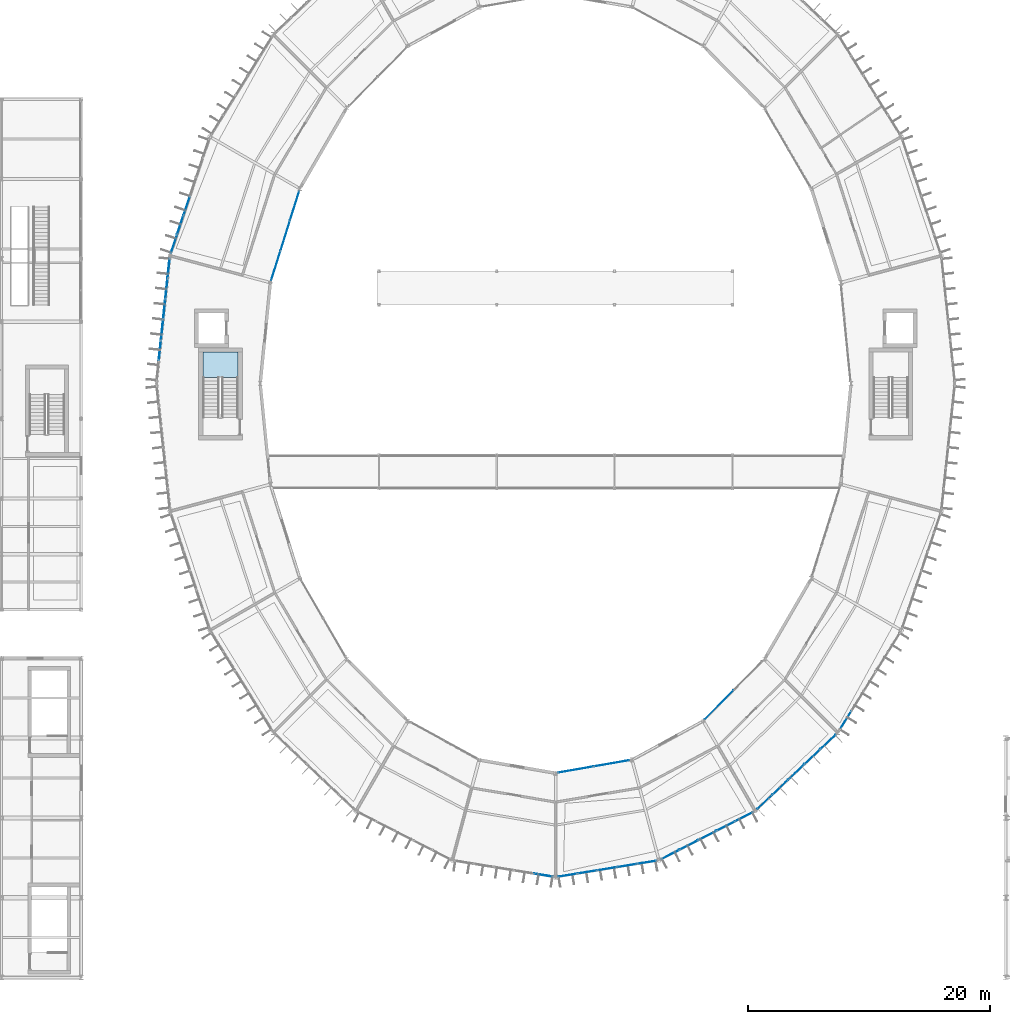
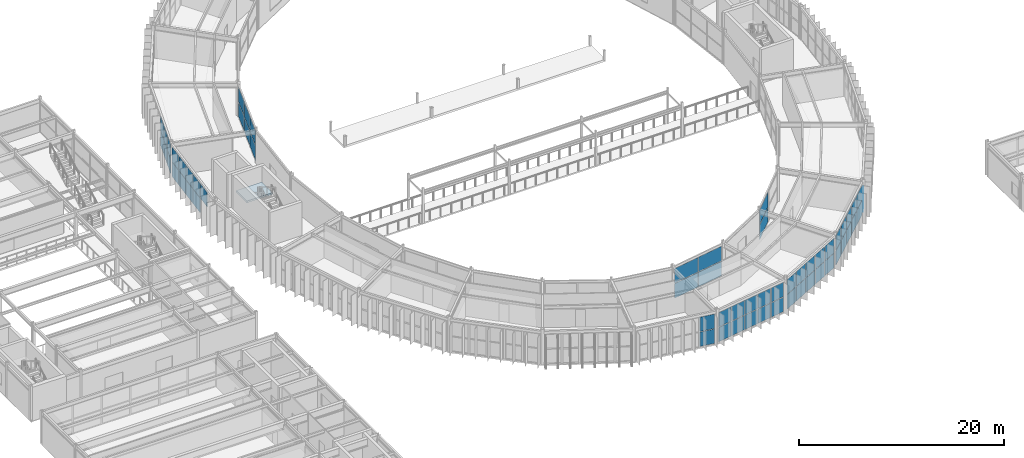
# One storey, part 101 of 147: 60 plates, 1 slab, 11 elements without a shape of their own.
"""IFC4 building model written with IfcOpenShell, lengths in metres."""

from ifc_helpers import new_model, si_unit, direction, frame, origin, origin_2d, place, context, subcontext, project, spatial, polyline, rectangle, outline, extrude, material, layer, layer_set, type_object, element, aggregate, save


model = new_model("IFC4")

# Units and contexts
model_context = context("Model", 3, precision=1e-05, world=origin(), true_north=direction((0.0, 1.0)))
body_context = subcontext(model_context, "Body", "Model", "MODEL_VIEW")
ifc_project = project(units=[si_unit("LENGTHUNIT", "METRE"), si_unit("AREAUNIT", "SQUARE_METRE"), si_unit("VOLUMEUNIT", "CUBIC_METRE"), si_unit("PLANEANGLEUNIT", "RADIAN"), si_unit("MASSUNIT", "GRAM", prefix="KILO")], contexts=[model_context])

# Site, building, storey
site_placement = place(None, origin())
site = spatial("IfcSite", under=ifc_project, at=site_placement, CompositionType="ELEMENT")
building_placement = place(site_placement, origin())
building = spatial("IfcBuilding", under=site, at=building_placement, Name="Karori Crest Natural Sciences Institute", CompositionType="ELEMENT")
storey_placement = place(building_placement, frame((0.0, 0.0, 9.10009765625)))
storey = spatial("IfcBuildingStorey", under=building, at=storey_placement, Name="L02", CompositionType="ELEMENT", Elevation=9.10009765625)

# Curtain wall, plates
ifc_material_1 = material(Name="Anodised architectural aluminium 6063-T6", Category="aluminium")
curtain_wall_type_1 = type_object("IfcCurtainWallType", Name="CWT-11", PredefinedType="NOTDEFINED", material=ifc_material_1)
curtain_wall_1_placement = place(storey_placement, origin())
curtain_wall_1 = element("IfcCurtainWall", 1, at=curtain_wall_1_placement, inside=storey, type_object=curtain_wall_type_1, Name="Curtain wall CW-0081", PredefinedType="NOTDEFINED")
ifc_material_2 = material(Name="Double low-E laminated glass", Category="glass")
ifc_layer_1 = layer(ifc_material_2, 0.02392578125, Name="Double low-E laminated glass")
ifc_layer_set_1 = layer_set([ifc_layer_1], Name="Double low-E laminated glass")
plate_type_1 = type_object("IfcPlateType", Name="CWP-01", PredefinedType="CURTAIN_PANEL", material=ifc_layer_set_1)
plate_1_placement = place(storey_placement, frame((44.824951171875, 64.584716796875, 0.06005859375), z_axis=(0.0, 0.0, 1.0), x_axis=(-0.2994765864, -0.954103649609, 0.0)))
plate_1 = element("IfcPlate", 2, at=plate_1_placement, type_object=plate_type_1, Name="CW-0081 panel 1.1", PredefinedType="CURTAIN_PANEL", context=body_context, shape_type="SweptSolid", body=[
    extrude(rectangle(XDim=2.517822265625, YDim=0.02392578125, at=origin_2d()), origin(), (0.0, 0.0, 1.0), 1.735107421875),
])
plate_2_placement = place(storey_placement, frame((44.824951171875, 64.584716796875, 1.85498046875), z_axis=(0.0, 0.0, 1.0), x_axis=(-0.2994765864, -0.954103649609, 0.0)))
plate_2 = element("IfcPlate", 3, at=plate_2_placement, type_object=plate_type_1, Name="CW-0081 panel 1.2", PredefinedType="CURTAIN_PANEL", context=body_context, shape_type="SweptSolid", body=[
    extrude(rectangle(XDim=2.517822265625, YDim=0.02392578125, at=origin_2d()), origin(), (0.0, 0.0, 1.0), 1.735107421875),
])
plate_3_placement = place(storey_placement, frame((44.04638671875, 62.10498046875, 0.06005859375), z_axis=(0.0, 0.0, 1.0), x_axis=(-0.2994765864, -0.954103649609, 0.0)))
plate_3 = element("IfcPlate", 4, at=plate_3_placement, type_object=plate_type_1, Name="CW-0081 panel 2.1", PredefinedType="CURTAIN_PANEL", context=body_context, shape_type="SweptSolid", body=[
    extrude(rectangle(XDim=2.55029296875, YDim=0.02392578125, at=origin_2d()), origin(), (0.0, 0.0, 1.0), 1.735107421875),
])
plate_4_placement = place(storey_placement, frame((44.04638671875, 62.10498046875, 1.85498046875), z_axis=(0.0, 0.0, 1.0), x_axis=(-0.2994765864, -0.954103649609, 0.0)))
plate_4 = element("IfcPlate", 5, at=plate_4_placement, type_object=plate_type_1, Name="CW-0081 panel 2.2", PredefinedType="CURTAIN_PANEL", context=body_context, shape_type="SweptSolid", body=[
    extrude(rectangle(XDim=2.55029296875, YDim=0.02392578125, at=origin_2d()), origin(), (0.0, 0.0, 1.0), 1.735107421875),
])
plate_5_placement = place(storey_placement, frame((43.26806640625, 59.62548828125, 0.06005859375), z_axis=(0.0, 0.0, 1.0), x_axis=(-0.2994765864, -0.954103649609, 0.0)))
plate_5 = element("IfcPlate", 6, at=plate_5_placement, type_object=plate_type_1, Name="CW-0081 panel 3.1", PredefinedType="CURTAIN_PANEL", context=body_context, shape_type="SweptSolid", body=[
    extrude(rectangle(XDim=2.517822265625, YDim=0.02392578125, at=origin_2d()), origin(), (0.0, 0.0, 1.0), 1.735107421875),
])
plate_6_placement = place(storey_placement, frame((43.26806640625, 59.62548828125, 1.85498046875), z_axis=(0.0, 0.0, 1.0), x_axis=(-0.2994765864, -0.954103649609, 0.0)))
plate_6 = element("IfcPlate", 7, at=plate_6_placement, type_object=plate_type_1, Name="CW-0081 panel 3.2", PredefinedType="CURTAIN_PANEL", context=body_context, shape_type="SweptSolid", body=[
    extrude(rectangle(XDim=2.517822265625, YDim=0.02392578125, at=origin_2d()), origin(), (0.0, 0.0, 1.0), 1.735107421875),
])
aggregate(curtain_wall_1, [plate_1, plate_2, plate_3, plate_4, plate_5, plate_6])

curtain_wall_type_2 = type_object("IfcCurtainWallType", Name="CWT-09", PredefinedType="NOTDEFINED", material=ifc_material_1)
curtain_wall_2_placement = place(storey_placement, origin())
curtain_wall_2 = element("IfcCurtainWall", 8, at=curtain_wall_2_placement, inside=storey, type_object=curtain_wall_type_2, Name="Curtain wall CW-0091", PredefinedType="NOTDEFINED")
plate_7_placement = place(storey_placement, frame((73.927490234375, 10.3251953125, 0.06494140625), z_axis=(0.0, 0.0, 1.0), x_axis=(-0.987010371927, -0.1606565458, 0.0)))
plate_7 = element("IfcPlate", 9, at=plate_7_placement, type_object=plate_type_1, Name="CW-0091 panel 1.1", PredefinedType="CURTAIN_PANEL", context=body_context, shape_type="SweptSolid", body=[
    extrude(rectangle(XDim=1.552001953125, YDim=0.02392578125, at=origin_2d()), origin(), (0.0, 0.0, 1.0), 1.715087890625),
])
plate_8_placement = place(storey_placement, frame((73.927490234375, 10.3251953125, 1.8447265625), z_axis=(0.0, 0.0, 1.0), x_axis=(-0.987010371927, -0.1606565458, 0.0)))
plate_8 = element("IfcPlate", 10, at=plate_8_placement, type_object=plate_type_1, Name="CW-0091 panel 1.2", PredefinedType="CURTAIN_PANEL", context=body_context, shape_type="SweptSolid", body=[
    extrude(rectangle(XDim=1.552001953125, YDim=0.02392578125, at=origin_2d()), origin(), (0.0, 0.0, 1.0), 1.715087890625),
])
plate_9_placement = place(storey_placement, frame((72.30322265625, 10.060791015625, 0.06494140625), z_axis=(0.0, 0.0, 1.0), x_axis=(-0.987010371927, -0.1606565458, 0.0)))
plate_9 = element("IfcPlate", 11, at=plate_9_placement, type_object=plate_type_1, Name="CW-0091 panel 2.1", PredefinedType="CURTAIN_PANEL", context=body_context, shape_type="SweptSolid", body=[
    extrude(rectangle(XDim=1.58935546875, YDim=0.02392578125, at=origin_2d()), origin(), (0.0, 0.0, 1.0), 1.715087890625),
])
plate_10_placement = place(storey_placement, frame((72.30322265625, 10.060791015625, 1.8447265625), z_axis=(0.0, 0.0, 1.0), x_axis=(-0.987010371927, -0.1606565458, 0.0)))
plate_10 = element("IfcPlate", 12, at=plate_10_placement, type_object=plate_type_1, Name="CW-0091 panel 2.2", PredefinedType="CURTAIN_PANEL", context=body_context, shape_type="SweptSolid", body=[
    extrude(rectangle(XDim=1.58935546875, YDim=0.02392578125, at=origin_2d()), origin(), (0.0, 0.0, 1.0), 1.715087890625),
])
plate_11_placement = place(storey_placement, frame((70.660400390625, 9.79345703125, 0.06494140625), z_axis=(0.0, 0.0, 1.0), x_axis=(-0.987010371927, -0.1606565458, 0.0)))
plate_11 = element("IfcPlate", 13, at=plate_11_placement, type_object=plate_type_1, Name="CW-0091 panel 3.1", PredefinedType="CURTAIN_PANEL", context=body_context, shape_type="SweptSolid", body=[
    extrude(rectangle(XDim=1.58935546875, YDim=0.02392578125, at=origin_2d()), origin(), (0.0, 0.0, 1.0), 1.715087890625),
])
plate_12_placement = place(storey_placement, frame((70.660400390625, 9.79345703125, 1.8447265625), z_axis=(0.0, 0.0, 1.0), x_axis=(-0.987010371927, -0.1606565458, 0.0)))
plate_12 = element("IfcPlate", 14, at=plate_12_placement, type_object=plate_type_1, Name="CW-0091 panel 3.2", PredefinedType="CURTAIN_PANEL", context=body_context, shape_type="SweptSolid", body=[
    extrude(rectangle(XDim=1.58935546875, YDim=0.02392578125, at=origin_2d()), origin(), (0.0, 0.0, 1.0), 1.715087890625),
])
plate_13_placement = place(storey_placement, frame((69.017578125, 9.526123046875, 0.06494140625), z_axis=(0.0, 0.0, 1.0), x_axis=(-0.987010371927, -0.1606565458, 0.0)))
plate_13 = element("IfcPlate", 15, at=plate_13_placement, type_object=plate_type_1, Name="CW-0091 panel 4.1", PredefinedType="CURTAIN_PANEL", context=body_context, shape_type="SweptSolid", body=[
    extrude(rectangle(XDim=1.58935546875, YDim=0.02392578125, at=origin_2d()), origin(), (0.0, 0.0, 1.0), 1.715087890625),
])
plate_14_placement = place(storey_placement, frame((69.017578125, 9.526123046875, 1.8447265625), z_axis=(0.0, 0.0, 1.0), x_axis=(-0.987010371927, -0.1606565458, 0.0)))
plate_14 = element("IfcPlate", 16, at=plate_14_placement, type_object=plate_type_1, Name="CW-0091 panel 4.2", PredefinedType="CURTAIN_PANEL", context=body_context, shape_type="SweptSolid", body=[
    extrude(rectangle(XDim=1.58935546875, YDim=0.02392578125, at=origin_2d()), origin(), (0.0, 0.0, 1.0), 1.715087890625),
])
plate_15_placement = place(storey_placement, frame((67.393310546875, 9.26171875, 0.06494140625), z_axis=(0.0, 0.0, 1.0), x_axis=(-0.987010371927, -0.1606565458, 0.0)))
plate_15 = element("IfcPlate", 17, at=plate_15_placement, type_object=plate_type_1, Name="CW-0091 panel 5.1", PredefinedType="CURTAIN_PANEL", context=body_context, shape_type="SweptSolid", body=[
    extrude(rectangle(XDim=1.552001953125, YDim=0.02392578125, at=origin_2d()), origin(), (0.0, 0.0, 1.0), 1.715087890625),
])
plate_16_placement = place(storey_placement, frame((67.393310546875, 9.26171875, 1.8447265625), z_axis=(0.0, 0.0, 1.0), x_axis=(-0.987010371927, -0.1606565458, 0.0)))
plate_16 = element("IfcPlate", 18, at=plate_16_placement, type_object=plate_type_1, Name="CW-0091 panel 5.2", PredefinedType="CURTAIN_PANEL", context=body_context, shape_type="SweptSolid", body=[
    extrude(rectangle(XDim=1.552001953125, YDim=0.02392578125, at=origin_2d()), origin(), (0.0, 0.0, 1.0), 1.715087890625),
])
aggregate(curtain_wall_2, [plate_7, plate_8, plate_9, plate_10, plate_11, plate_12, plate_13, plate_14, plate_15, plate_16])

curtain_wall_type_3 = type_object("IfcCurtainWallType", Name="CWT-14", PredefinedType="NOTDEFINED", material=ifc_material_1)
curtain_wall_3_placement = place(storey_placement, origin())
curtain_wall_3 = element("IfcCurtainWall", 19, at=curtain_wall_3_placement, inside=storey, type_object=curtain_wall_type_3, Name="Curtain wall CW-0092", PredefinedType="NOTDEFINED")
plate_17_placement = place(storey_placement, frame((68.07080078125, 17.990234375, 0.06005859375), z_axis=(0.0, 0.0, 1.0), x_axis=(0.985241442821, 0.171170381048, 0.0)))
plate_17 = element("IfcPlate", 20, at=plate_17_placement, type_object=plate_type_1, Name="CW-0092 panel 1.1", PredefinedType="CURTAIN_PANEL", context=body_context, shape_type="SweptSolid", body=[
    extrude(rectangle(XDim=2.9541015625, YDim=0.02392578125, at=origin_2d()), origin(), (0.0, 0.0, 1.0), 1.735107421875),
])
plate_18_placement = place(storey_placement, frame((68.07080078125, 17.990234375, 1.85498046875), z_axis=(0.0, 0.0, 1.0), x_axis=(0.985241442821, 0.171170381048, 0.0)))
plate_18 = element("IfcPlate", 21, at=plate_18_placement, type_object=plate_type_1, Name="CW-0092 panel 1.2", PredefinedType="CURTAIN_PANEL", context=body_context, shape_type="SweptSolid", body=[
    extrude(rectangle(XDim=2.9541015625, YDim=0.02392578125, at=origin_2d()), origin(), (0.0, 0.0, 1.0), 1.735107421875),
])
plate_19_placement = place(storey_placement, frame((71.04541015625, 18.507080078125, 0.06005859375), z_axis=(0.0, 0.0, 1.0), x_axis=(0.985241442821, 0.171170381048, 0.0)))
plate_19 = element("IfcPlate", 22, at=plate_19_placement, type_object=plate_type_1, Name="CW-0092 panel 2.1", PredefinedType="CURTAIN_PANEL", context=body_context, shape_type="SweptSolid", body=[
    extrude(rectangle(XDim=2.9541015625, YDim=0.02392578125, at=origin_2d()), origin(), (0.0, 0.0, 1.0), 1.735107421875),
])
plate_20_placement = place(storey_placement, frame((71.04541015625, 18.507080078125, 1.85498046875), z_axis=(0.0, 0.0, 1.0), x_axis=(0.985241442821, 0.171170381048, 0.0)))
plate_20 = element("IfcPlate", 23, at=plate_20_placement, type_object=plate_type_1, Name="CW-0092 panel 2.2", PredefinedType="CURTAIN_PANEL", context=body_context, shape_type="SweptSolid", body=[
    extrude(rectangle(XDim=2.9541015625, YDim=0.02392578125, at=origin_2d()), origin(), (0.0, 0.0, 1.0), 1.735107421875),
])
aggregate(curtain_wall_3, [plate_17, plate_18, plate_19, plate_20])

curtain_wall_4_placement = place(storey_placement, origin())
curtain_wall_4 = element("IfcCurtainWall", 24, at=curtain_wall_4_placement, inside=storey, type_object=curtain_wall_type_1, Name="Curtain wall CW-0095", PredefinedType="NOTDEFINED")
plate_21_placement = place(storey_placement, frame((79.90771484375, 23.338134765625, 0.06005859375), z_axis=(0.0, 0.0, 1.0), x_axis=(0.70265631089, 0.71152941525, 0.0)))
plate_21 = element("IfcPlate", 25, at=plate_21_placement, type_object=plate_type_1, Name="CW-0095 panel 1.1", PredefinedType="CURTAIN_PANEL", context=body_context, shape_type="SweptSolid", body=[
    extrude(rectangle(XDim=3.322998046875, YDim=0.02392578125, at=origin_2d()), origin(), (0.0, 0.0, 1.0), 1.735107421875),
])
plate_22_placement = place(storey_placement, frame((79.90771484375, 23.338134765625, 1.85498046875), z_axis=(0.0, 0.0, 1.0), x_axis=(0.70265631089, 0.71152941525, 0.0)))
plate_22 = element("IfcPlate", 26, at=plate_22_placement, type_object=plate_type_1, Name="CW-0095 panel 1.2", PredefinedType="CURTAIN_PANEL", context=body_context, shape_type="SweptSolid", body=[
    extrude(rectangle(XDim=3.322998046875, YDim=0.02392578125, at=origin_2d()), origin(), (0.0, 0.0, 1.0), 1.735107421875),
])
aggregate(curtain_wall_4, [plate_21, plate_22])

# Curtain wall, plate
curtain_wall_type_4 = type_object("IfcCurtainWallType", Name="CWT-02", PredefinedType="NOTDEFINED", material=ifc_material_1)
curtain_wall_5_placement = place(storey_placement, origin())
curtain_wall_5 = element("IfcCurtainWall", 27, at=curtain_wall_5_placement, inside=storey, type_object=curtain_wall_type_4, Name="Curtain wall CW-0096", PredefinedType="NOTDEFINED")
plate_23_placement = place(storey_placement, frame((90.349853515625, 22.04150390625, 0.06005859375), z_axis=(0.0, 0.0, 1.0), x_axis=(-0.527327518853, -0.849662102168, 0.0)))
plate_23 = element("IfcPlate", 28, at=plate_23_placement, type_object=plate_type_1, Name="CW-0096 panel 5.1", PredefinedType="CURTAIN_PANEL", context=body_context, shape_type="SweptSolid", body=[
    extrude(rectangle(XDim=1.80322265625, YDim=0.02392578125, at=origin_2d()), origin(), (0.0, 0.0, 1.0), 1.722412109375),
])
aggregate(curtain_wall_5, [plate_23])

# Curtain wall, plates
curtain_wall_type_5 = type_object("IfcCurtainWallType", Name="CWT-01", PredefinedType="NOTDEFINED", material=ifc_material_1)
curtain_wall_6_placement = place(storey_placement, origin())
curtain_wall_6 = element("IfcCurtainWall", 29, at=curtain_wall_6_placement, inside=storey, type_object=curtain_wall_type_5, Name="Curtain wall CW-0080", PredefinedType="NOTDEFINED")
ifc_layer_2 = layer(ifc_material_2, 0.033935546875, Name="Double low-E laminated glass")
ifc_layer_set_2 = layer_set([ifc_layer_2], Name="Double low-E laminated glass")
plate_type_2 = type_object("IfcPlateType", Name="CWP-02", PredefinedType="CURTAIN_PANEL", material=ifc_layer_set_2)
plate_24_placement = place(storey_placement, frame((34.846923828125, 61.4228515625, 0.06494140625), z_axis=(0.0, 0.0, 1.0), x_axis=(0.317685267462, 0.948196219586, 0.0)))
plate_24 = element("IfcPlate", 30, at=plate_24_placement, type_object=plate_type_2, Name="CW-0080 panel 1.1", PredefinedType="CURTAIN_PANEL", context=body_context, shape_type="SweptSolid", body=[
    extrude(rectangle(XDim=1.561279296875, YDim=0.033935546875, at=origin_2d()), origin(), (0.0, 0.0, 1.0), 1.715087890625),
])
plate_25_placement = place(storey_placement, frame((34.846923828125, 61.4228515625, 1.8447265625), z_axis=(0.0, 0.0, 1.0), x_axis=(0.317685267462, 0.948196219586, 0.0)))
plate_25 = element("IfcPlate", 31, at=plate_25_placement, type_object=plate_type_2, Name="CW-0080 panel 1.2", PredefinedType="CURTAIN_PANEL", context=body_context, shape_type="SweptSolid", body=[
    extrude(rectangle(XDim=1.561279296875, YDim=0.033935546875, at=origin_2d()), origin(), (0.0, 0.0, 1.0), 1.715087890625),
])
plate_26_placement = place(storey_placement, frame((35.372802734375, 62.991943359375, 0.06494140625), z_axis=(0.0, 0.0, 1.0), x_axis=(0.317685267462, 0.948196219586, 0.0)))
plate_26 = element("IfcPlate", 32, at=plate_26_placement, type_object=plate_type_2, Name="CW-0080 panel 2.1", PredefinedType="CURTAIN_PANEL", context=body_context, shape_type="SweptSolid", body=[
    extrude(rectangle(XDim=1.5986328125, YDim=0.033935546875, at=origin_2d()), origin(), (0.0, 0.0, 1.0), 1.715087890625),
])
plate_27_placement = place(storey_placement, frame((35.372802734375, 62.991943359375, 1.8447265625), z_axis=(0.0, 0.0, 1.0), x_axis=(0.317685267462, 0.948196219586, 0.0)))
plate_27 = element("IfcPlate", 33, at=plate_27_placement, type_object=plate_type_2, Name="CW-0080 panel 2.2", PredefinedType="CURTAIN_PANEL", context=body_context, shape_type="SweptSolid", body=[
    extrude(rectangle(XDim=1.5986328125, YDim=0.033935546875, at=origin_2d()), origin(), (0.0, 0.0, 1.0), 1.715087890625),
])
plate_28_placement = place(storey_placement, frame((35.904541015625, 64.578857421875, 0.06494140625), z_axis=(0.0, 0.0, 1.0), x_axis=(0.317685267462, 0.948196219586, 0.0)))
plate_28 = element("IfcPlate", 34, at=plate_28_placement, type_object=plate_type_2, Name="CW-0080 panel 3.1", PredefinedType="CURTAIN_PANEL", context=body_context, shape_type="SweptSolid", body=[
    extrude(rectangle(XDim=1.5986328125, YDim=0.033935546875, at=origin_2d()), origin(), (0.0, 0.0, 1.0), 1.715087890625),
])
plate_29_placement = place(storey_placement, frame((35.904541015625, 64.578857421875, 1.8447265625), z_axis=(0.0, 0.0, 1.0), x_axis=(0.317685267462, 0.948196219586, 0.0)))
plate_29 = element("IfcPlate", 35, at=plate_29_placement, type_object=plate_type_2, Name="CW-0080 panel 3.2", PredefinedType="CURTAIN_PANEL", context=body_context, shape_type="SweptSolid", body=[
    extrude(rectangle(XDim=1.5986328125, YDim=0.033935546875, at=origin_2d()), origin(), (0.0, 0.0, 1.0), 1.715087890625),
])
aggregate(curtain_wall_6, [plate_24, plate_25, plate_26, plate_27, plate_28, plate_29])

curtain_wall_type_6 = type_object("IfcCurtainWallType", Name="CWT-10", PredefinedType="NOTDEFINED", material=ifc_material_1)
curtain_wall_7_placement = place(storey_placement, origin())
curtain_wall_7 = element("IfcCurtainWall", 36, at=curtain_wall_7_placement, inside=storey, type_object=curtain_wall_type_6, Name="Curtain wall CW-0093", PredefinedType="NOTDEFINED")
plate_30_placement = place(storey_placement, frame((81.974853515625, 14.092529296875, 0.06005859375), z_axis=(0.0, 0.0, 1.0), x_axis=(-0.890065326982, -0.455832988828, 0.0)))
plate_30 = element("IfcPlate", 37, at=plate_30_placement, type_object=plate_type_2, Name="CW-0093 panel 1.1", PredefinedType="CURTAIN_PANEL", context=body_context, shape_type="SweptSolid", body=[
    extrude(rectangle(XDim=1.608642578125, YDim=0.033935546875, at=origin_2d()), origin(), (0.0, 0.0, 1.0), 1.722412109375),
])
plate_31_placement = place(storey_placement, frame((81.974853515625, 14.092529296875, 1.84228515625), z_axis=(0.0, 0.0, 1.0), x_axis=(-0.890065326982, -0.455832988828, 0.0)))
plate_31 = element("IfcPlate", 38, at=plate_31_placement, type_object=plate_type_2, Name="CW-0093 panel 1.2", PredefinedType="CURTAIN_PANEL", context=body_context, shape_type="SweptSolid", body=[
    extrude(rectangle(XDim=1.608642578125, YDim=0.033935546875, at=origin_2d()), origin(), (0.0, 0.0, 1.0), 1.722412109375),
])
plate_32_placement = place(storey_placement, frame((80.45947265625, 13.31640625, 0.06005859375), z_axis=(0.0, 0.0, 1.0), x_axis=(-0.890065326982, -0.455832988828, 0.0)))
plate_32 = element("IfcPlate", 39, at=plate_32_placement, type_object=plate_type_2, Name="CW-0093 panel 2.1", PredefinedType="CURTAIN_PANEL", context=body_context, shape_type="SweptSolid", body=[
    extrude(rectangle(XDim=1.646240234375, YDim=0.033935546875, at=origin_2d()), origin(), (0.0, 0.0, 1.0), 1.722412109375),
])
plate_33_placement = place(storey_placement, frame((80.45947265625, 13.31640625, 1.84228515625), z_axis=(0.0, 0.0, 1.0), x_axis=(-0.890065326982, -0.455832988828, 0.0)))
plate_33 = element("IfcPlate", 40, at=plate_33_placement, type_object=plate_type_2, Name="CW-0093 panel 2.2", PredefinedType="CURTAIN_PANEL", context=body_context, shape_type="SweptSolid", body=[
    extrude(rectangle(XDim=1.646240234375, YDim=0.033935546875, at=origin_2d()), origin(), (0.0, 0.0, 1.0), 1.722412109375),
])
plate_34_placement = place(storey_placement, frame((78.927490234375, 12.53173828125, 0.06005859375), z_axis=(0.0, 0.0, 1.0), x_axis=(-0.890065326982, -0.455832988828, 0.0)))
plate_34 = element("IfcPlate", 41, at=plate_34_placement, type_object=plate_type_2, Name="CW-0093 panel 3.1", PredefinedType="CURTAIN_PANEL", context=body_context, shape_type="SweptSolid", body=[
    extrude(rectangle(XDim=1.646240234375, YDim=0.033935546875, at=origin_2d()), origin(), (0.0, 0.0, 1.0), 1.722412109375),
])
plate_35_placement = place(storey_placement, frame((78.927490234375, 12.53173828125, 1.84228515625), z_axis=(0.0, 0.0, 1.0), x_axis=(-0.890065326982, -0.455832988828, 0.0)))
plate_35 = element("IfcPlate", 42, at=plate_35_placement, type_object=plate_type_2, Name="CW-0093 panel 3.2", PredefinedType="CURTAIN_PANEL", context=body_context, shape_type="SweptSolid", body=[
    extrude(rectangle(XDim=1.646240234375, YDim=0.033935546875, at=origin_2d()), origin(), (0.0, 0.0, 1.0), 1.722412109375),
])
plate_36_placement = place(storey_placement, frame((77.3955078125, 11.747314453125, 0.06005859375), z_axis=(0.0, 0.0, 1.0), x_axis=(-0.890065326982, -0.455832988828, 0.0)))
plate_36 = element("IfcPlate", 43, at=plate_36_placement, type_object=plate_type_2, Name="CW-0093 panel 4.1", PredefinedType="CURTAIN_PANEL", context=body_context, shape_type="SweptSolid", body=[
    extrude(rectangle(XDim=1.646240234375, YDim=0.033935546875, at=origin_2d()), origin(), (0.0, 0.0, 1.0), 1.722412109375),
])
plate_37_placement = place(storey_placement, frame((77.3955078125, 11.747314453125, 1.84228515625), z_axis=(0.0, 0.0, 1.0), x_axis=(-0.890065326982, -0.455832988828, 0.0)))
plate_37 = element("IfcPlate", 44, at=plate_37_placement, type_object=plate_type_2, Name="CW-0093 panel 4.2", PredefinedType="CURTAIN_PANEL", context=body_context, shape_type="SweptSolid", body=[
    extrude(rectangle(XDim=1.646240234375, YDim=0.033935546875, at=origin_2d()), origin(), (0.0, 0.0, 1.0), 1.722412109375),
])
plate_38_placement = place(storey_placement, frame((75.880126953125, 10.97119140625, 0.06005859375), z_axis=(0.0, 0.0, 1.0), x_axis=(-0.890065326982, -0.455832988828, 0.0)))
plate_38 = element("IfcPlate", 45, at=plate_38_placement, type_object=plate_type_2, Name="CW-0093 panel 5.1", PredefinedType="CURTAIN_PANEL", context=body_context, shape_type="SweptSolid", body=[
    extrude(rectangle(XDim=1.608642578125, YDim=0.033935546875, at=origin_2d()), origin(), (0.0, 0.0, 1.0), 1.722412109375),
])
plate_39_placement = place(storey_placement, frame((75.880126953125, 10.97119140625, 1.84228515625), z_axis=(0.0, 0.0, 1.0), x_axis=(-0.890065326982, -0.455832988828, 0.0)))
plate_39 = element("IfcPlate", 46, at=plate_39_placement, type_object=plate_type_2, Name="CW-0093 panel 5.2", PredefinedType="CURTAIN_PANEL", context=body_context, shape_type="SweptSolid", body=[
    extrude(rectangle(XDim=1.608642578125, YDim=0.033935546875, at=origin_2d()), origin(), (0.0, 0.0, 1.0), 1.722412109375),
])
aggregate(curtain_wall_7, [plate_30, plate_31, plate_32, plate_33, plate_34, plate_35, plate_36, plate_37, plate_38, plate_39])

curtain_wall_8_placement = place(storey_placement, origin())
curtain_wall_8 = element("IfcCurtainWall", 47, at=curtain_wall_8_placement, inside=storey, type_object=curtain_wall_type_4, Name="Curtain wall CW-0082", PredefinedType="NOTDEFINED")
ifc_layer_3 = layer(ifc_material_2, 0.0439453125, Name="Double low-E laminated glass")
ifc_layer_set_3 = layer_set([ifc_layer_3], Name="Double low-E laminated glass")
plate_type_3 = type_object("IfcPlateType", Name="CWP-03", PredefinedType="CURTAIN_PANEL", material=ifc_layer_set_3)
plate_40_placement = place(storey_placement, frame((33.689697265625, 52.621337890625, 1.84228515625), z_axis=(0.0, 0.0, 1.0), x_axis=(0.105884329618, 0.994378453478, 0.0)))
plate_40 = element("IfcPlate", 48, at=plate_40_placement, type_object=plate_type_3, Name="CW-0082 panel 2.2", PredefinedType="CURTAIN_PANEL", context=body_context, shape_type="SweptSolid", body=[
    extrude(rectangle(XDim=1.64111328125, YDim=0.0439453125, at=origin_2d()), origin(), (0.0, 0.0, 1.0), 1.722412109375),
])
plate_41_placement = place(storey_placement, frame((33.87158203125, 54.327880859375, 0.06005859375), z_axis=(0.0, 0.0, 1.0), x_axis=(0.105884329618, 0.994378453478, 0.0)))
plate_41 = element("IfcPlate", 49, at=plate_41_placement, type_object=plate_type_3, Name="CW-0082 panel 3.1", PredefinedType="CURTAIN_PANEL", context=body_context, shape_type="SweptSolid", body=[
    extrude(rectangle(XDim=1.64111328125, YDim=0.0439453125, at=origin_2d()), origin(), (0.0, 0.0, 1.0), 1.722412109375),
])
plate_42_placement = place(storey_placement, frame((33.87158203125, 54.327880859375, 1.84228515625), z_axis=(0.0, 0.0, 1.0), x_axis=(0.105884329618, 0.994378453478, 0.0)))
plate_42 = element("IfcPlate", 50, at=plate_42_placement, type_object=plate_type_3, Name="CW-0082 panel 3.2", PredefinedType="CURTAIN_PANEL", context=body_context, shape_type="SweptSolid", body=[
    extrude(rectangle(XDim=1.64111328125, YDim=0.0439453125, at=origin_2d()), origin(), (0.0, 0.0, 1.0), 1.722412109375),
])
plate_43_placement = place(storey_placement, frame((34.05322265625, 56.034423828125, 0.06005859375), z_axis=(0.0, 0.0, 1.0), x_axis=(0.105884329618, 0.994378453478, 0.0)))
plate_43 = element("IfcPlate", 51, at=plate_43_placement, type_object=plate_type_3, Name="CW-0082 panel 4.1", PredefinedType="CURTAIN_PANEL", context=body_context, shape_type="SweptSolid", body=[
    extrude(rectangle(XDim=1.64111328125, YDim=0.0439453125, at=origin_2d()), origin(), (0.0, 0.0, 1.0), 1.722412109375),
])
plate_44_placement = place(storey_placement, frame((34.05322265625, 56.034423828125, 1.84228515625), z_axis=(0.0, 0.0, 1.0), x_axis=(0.105884329618, 0.994378453478, 0.0)))
plate_44 = element("IfcPlate", 52, at=plate_44_placement, type_object=plate_type_3, Name="CW-0082 panel 4.2", PredefinedType="CURTAIN_PANEL", context=body_context, shape_type="SweptSolid", body=[
    extrude(rectangle(XDim=1.64111328125, YDim=0.0439453125, at=origin_2d()), origin(), (0.0, 0.0, 1.0), 1.722412109375),
])
plate_45_placement = place(storey_placement, frame((34.23486328125, 57.740966796875, 0.06005859375), z_axis=(0.0, 0.0, 1.0), x_axis=(0.105884329618, 0.994378453478, 0.0)))
plate_45 = element("IfcPlate", 53, at=plate_45_placement, type_object=plate_type_3, Name="CW-0082 panel 5.1", PredefinedType="CURTAIN_PANEL", context=body_context, shape_type="SweptSolid", body=[
    extrude(rectangle(XDim=1.64111328125, YDim=0.0439453125, at=origin_2d()), origin(), (0.0, 0.0, 1.0), 1.722412109375),
])
plate_46_placement = place(storey_placement, frame((34.23486328125, 57.740966796875, 1.84228515625), z_axis=(0.0, 0.0, 1.0), x_axis=(0.105884329618, 0.994378453478, 0.0)))
plate_46 = element("IfcPlate", 54, at=plate_46_placement, type_object=plate_type_3, Name="CW-0082 panel 5.2", PredefinedType="CURTAIN_PANEL", context=body_context, shape_type="SweptSolid", body=[
    extrude(rectangle(XDim=1.64111328125, YDim=0.0439453125, at=origin_2d()), origin(), (0.0, 0.0, 1.0), 1.722412109375),
])
plate_47_placement = place(storey_placement, frame((34.41455078125, 59.4287109375, 0.06005859375), z_axis=(0.0, 0.0, 1.0), x_axis=(0.105884329618, 0.994378453478, 0.0)))
plate_47 = element("IfcPlate", 55, at=plate_47_placement, type_object=plate_type_3, Name="CW-0082 panel 6.1", PredefinedType="CURTAIN_PANEL", context=body_context, shape_type="SweptSolid", body=[
    extrude(rectangle(XDim=1.603759765625, YDim=0.0439453125, at=origin_2d()), origin(), (0.0, 0.0, 1.0), 1.722412109375),
])
plate_48_placement = place(storey_placement, frame((34.41455078125, 59.4287109375, 1.84228515625), z_axis=(0.0, 0.0, 1.0), x_axis=(0.105884329618, 0.994378453478, 0.0)))
plate_48 = element("IfcPlate", 56, at=plate_48_placement, type_object=plate_type_3, Name="CW-0082 panel 6.2", PredefinedType="CURTAIN_PANEL", context=body_context, shape_type="SweptSolid", body=[
    extrude(rectangle(XDim=1.603759765625, YDim=0.0439453125, at=origin_2d()), origin(), (0.0, 0.0, 1.0), 1.722412109375),
])
aggregate(curtain_wall_8, [plate_40, plate_41, plate_42, plate_43, plate_44, plate_45, plate_46, plate_47, plate_48])

curtain_wall_type_7 = type_object("IfcCurtainWallType", Name="CWT-08", PredefinedType="NOTDEFINED", material=ifc_material_1)
curtain_wall_9_placement = place(storey_placement, origin())
curtain_wall_9 = element("IfcCurtainWall", 57, at=curtain_wall_9_placement, inside=storey, type_object=curtain_wall_type_7, Name="Curtain wall CW-0090", PredefinedType="NOTDEFINED")
plate_49_placement = place(storey_placement, frame((65.405029296875, 9.261962890625, 0.06005859375), z_axis=(0.0, 0.0, 1.0), x_axis=(-0.987011117908, 0.160651962718, 0.0)))
plate_49 = element("IfcPlate", 58, at=plate_49_placement, type_object=plate_type_3, Name="CW-0090 panel 1.1", PredefinedType="CURTAIN_PANEL", context=body_context, shape_type="SweptSolid", body=[
    extrude(rectangle(XDim=1.55517578125, YDim=0.0439453125, at=origin_2d()), origin(), (0.0, 0.0, 1.0), 1.722412109375),
])
plate_50_placement = place(storey_placement, frame((65.405029296875, 9.261962890625, 1.84228515625), z_axis=(0.0, 0.0, 1.0), x_axis=(-0.987011117908, 0.160651962718, 0.0)))
plate_50 = element("IfcPlate", 59, at=plate_50_placement, type_object=plate_type_3, Name="CW-0090 panel 1.2", PredefinedType="CURTAIN_PANEL", context=body_context, shape_type="SweptSolid", body=[
    extrude(rectangle(XDim=1.55517578125, YDim=0.0439453125, at=origin_2d()), origin(), (0.0, 0.0, 1.0), 1.722412109375),
])
aggregate(curtain_wall_9, [plate_49, plate_50])

curtain_wall_10_placement = place(storey_placement, origin())
curtain_wall_10 = element("IfcCurtainWall", 60, at=curtain_wall_10_placement, inside=storey, type_object=curtain_wall_type_5, Name="Curtain wall CW-0094", PredefinedType="NOTDEFINED")
plate_51_placement = place(storey_placement, frame((88.910400390625, 20.268310546875, 0.06494140625), z_axis=(0.0, 0.0, 1.0), x_axis=(-0.725472753897, -0.688250886925, 0.0)))
plate_51 = element("IfcPlate", 61, at=plate_51_placement, type_object=plate_type_3, Name="CW-0094 panel 1.1", PredefinedType="CURTAIN_PANEL", context=body_context, shape_type="SweptSolid", body=[
    extrude(rectangle(XDim=1.697265625, YDim=0.0439453125, at=origin_2d()), origin(), (0.0, 0.0, 1.0), 1.715087890625),
])
plate_52_placement = place(storey_placement, frame((88.910400390625, 20.268310546875, 1.8447265625), z_axis=(0.0, 0.0, 1.0), x_axis=(-0.725472753897, -0.688250886925, 0.0)))
plate_52 = element("IfcPlate", 62, at=plate_52_placement, type_object=plate_type_3, Name="CW-0094 panel 1.2", PredefinedType="CURTAIN_PANEL", context=body_context, shape_type="SweptSolid", body=[
    extrude(rectangle(XDim=1.697265625, YDim=0.0439453125, at=origin_2d()), origin(), (0.0, 0.0, 1.0), 1.715087890625),
])
plate_53_placement = place(storey_placement, frame((87.611083984375, 19.03564453125, 0.06494140625), z_axis=(0.0, 0.0, 1.0), x_axis=(-0.725472753897, -0.688250886925, 0.0)))
plate_53 = element("IfcPlate", 63, at=plate_53_placement, type_object=plate_type_3, Name="CW-0094 panel 2.1", PredefinedType="CURTAIN_PANEL", context=body_context, shape_type="SweptSolid", body=[
    extrude(rectangle(XDim=1.734619140625, YDim=0.0439453125, at=origin_2d()), origin(), (0.0, 0.0, 1.0), 1.715087890625),
])
plate_54_placement = place(storey_placement, frame((87.611083984375, 19.03564453125, 1.8447265625), z_axis=(0.0, 0.0, 1.0), x_axis=(-0.725472753897, -0.688250886925, 0.0)))
plate_54 = element("IfcPlate", 64, at=plate_54_placement, type_object=plate_type_3, Name="CW-0094 panel 2.2", PredefinedType="CURTAIN_PANEL", context=body_context, shape_type="SweptSolid", body=[
    extrude(rectangle(XDim=1.734619140625, YDim=0.0439453125, at=origin_2d()), origin(), (0.0, 0.0, 1.0), 1.715087890625),
])
plate_55_placement = place(storey_placement, frame((86.29833984375, 17.7900390625, 0.06494140625), z_axis=(0.0, 0.0, 1.0), x_axis=(-0.725472753897, -0.688250886925, 0.0)))
plate_55 = element("IfcPlate", 65, at=plate_55_placement, type_object=plate_type_3, Name="CW-0094 panel 3.1", PredefinedType="CURTAIN_PANEL", context=body_context, shape_type="SweptSolid", body=[
    extrude(rectangle(XDim=1.734619140625, YDim=0.0439453125, at=origin_2d()), origin(), (0.0, 0.0, 1.0), 1.715087890625),
])
plate_56_placement = place(storey_placement, frame((86.29833984375, 17.7900390625, 1.8447265625), z_axis=(0.0, 0.0, 1.0), x_axis=(-0.725472753897, -0.688250886925, 0.0)))
plate_56 = element("IfcPlate", 66, at=plate_56_placement, type_object=plate_type_3, Name="CW-0094 panel 3.2", PredefinedType="CURTAIN_PANEL", context=body_context, shape_type="SweptSolid", body=[
    extrude(rectangle(XDim=1.734619140625, YDim=0.0439453125, at=origin_2d()), origin(), (0.0, 0.0, 1.0), 1.715087890625),
])
plate_57_placement = place(storey_placement, frame((84.9853515625, 16.544677734375, 0.06494140625), z_axis=(0.0, 0.0, 1.0), x_axis=(-0.725472753897, -0.688250886925, 0.0)))
plate_57 = element("IfcPlate", 67, at=plate_57_placement, type_object=plate_type_3, Name="CW-0094 panel 4.1", PredefinedType="CURTAIN_PANEL", context=body_context, shape_type="SweptSolid", body=[
    extrude(rectangle(XDim=1.734619140625, YDim=0.0439453125, at=origin_2d()), origin(), (0.0, 0.0, 1.0), 1.715087890625),
])
plate_58_placement = place(storey_placement, frame((84.9853515625, 16.544677734375, 1.8447265625), z_axis=(0.0, 0.0, 1.0), x_axis=(-0.725472753897, -0.688250886925, 0.0)))
plate_58 = element("IfcPlate", 68, at=plate_58_placement, type_object=plate_type_3, Name="CW-0094 panel 4.2", PredefinedType="CURTAIN_PANEL", context=body_context, shape_type="SweptSolid", body=[
    extrude(rectangle(XDim=1.734619140625, YDim=0.0439453125, at=origin_2d()), origin(), (0.0, 0.0, 1.0), 1.715087890625),
])
plate_59_placement = place(storey_placement, frame((83.68603515625, 15.31201171875, 0.06494140625), z_axis=(0.0, 0.0, 1.0), x_axis=(-0.725472753897, -0.688250886925, 0.0)))
plate_59 = element("IfcPlate", 69, at=plate_59_placement, type_object=plate_type_3, Name="CW-0094 panel 5.1", PredefinedType="CURTAIN_PANEL", context=body_context, shape_type="SweptSolid", body=[
    extrude(rectangle(XDim=1.697265625, YDim=0.0439453125, at=origin_2d()), origin(), (0.0, 0.0, 1.0), 1.715087890625),
])
plate_60_placement = place(storey_placement, frame((83.68603515625, 15.31201171875, 1.8447265625), z_axis=(0.0, 0.0, 1.0), x_axis=(-0.725472753897, -0.688250886925, 0.0)))
plate_60 = element("IfcPlate", 70, at=plate_60_placement, type_object=plate_type_3, Name="CW-0094 panel 5.2", PredefinedType="CURTAIN_PANEL", context=body_context, shape_type="SweptSolid", body=[
    extrude(rectangle(XDim=1.697265625, YDim=0.0439453125, at=origin_2d()), origin(), (0.0, 0.0, 1.0), 1.715087890625),
])
aggregate(curtain_wall_10, [plate_51, plate_52, plate_53, plate_54, plate_55, plate_56, plate_57, plate_58, plate_59, plate_60])

# Stair, slab
ifc_material_3 = material(Name="Concrete 40 MPa", Category="concrete")
stair_type = type_object("IfcStairType", Name="STT-01", PredefinedType="HALF_TURN_STAIR", material=ifc_material_3)
stair_placement = place(storey_placement, origin())
stair = element("IfcStair", 71, at=stair_placement, inside=storey, type_object=stair_type, Name="Protected stair ST-02-L02", PredefinedType="HALF_TURN_STAIR")
ifc_layer_4 = layer(ifc_material_3, 0.2099609375, Name="Concrete 40 MPa")
ifc_layer_set_4 = layer_set([ifc_layer_4], Name="Concrete 40 MPa")
slab_type = type_object("IfcSlabType", Name="SLT-11", PredefinedType="LANDING", material=ifc_layer_set_4)
slab_placement = place(storey_placement, frame((0.0, 0.0, 1.889892578125)))
slab = element("IfcSlab", 72, at=slab_placement, type_object=slab_type, Name="ST-02-L02 landing 1", PredefinedType="LANDING", context=body_context, shape_type="SweptSolid", body=[
    extrude(outline(polyline([(40.14990234375, 50.39990234375), (40.14990234375, 52.5), (37.25, 52.5), (37.25, 50.39990234375), (40.14990234375, 50.39990234375)])), origin(), (0.0, 0.0, 1.0), 0.2099609375),
])
aggregate(stair, [slab])

save(model, "model.ifc")
